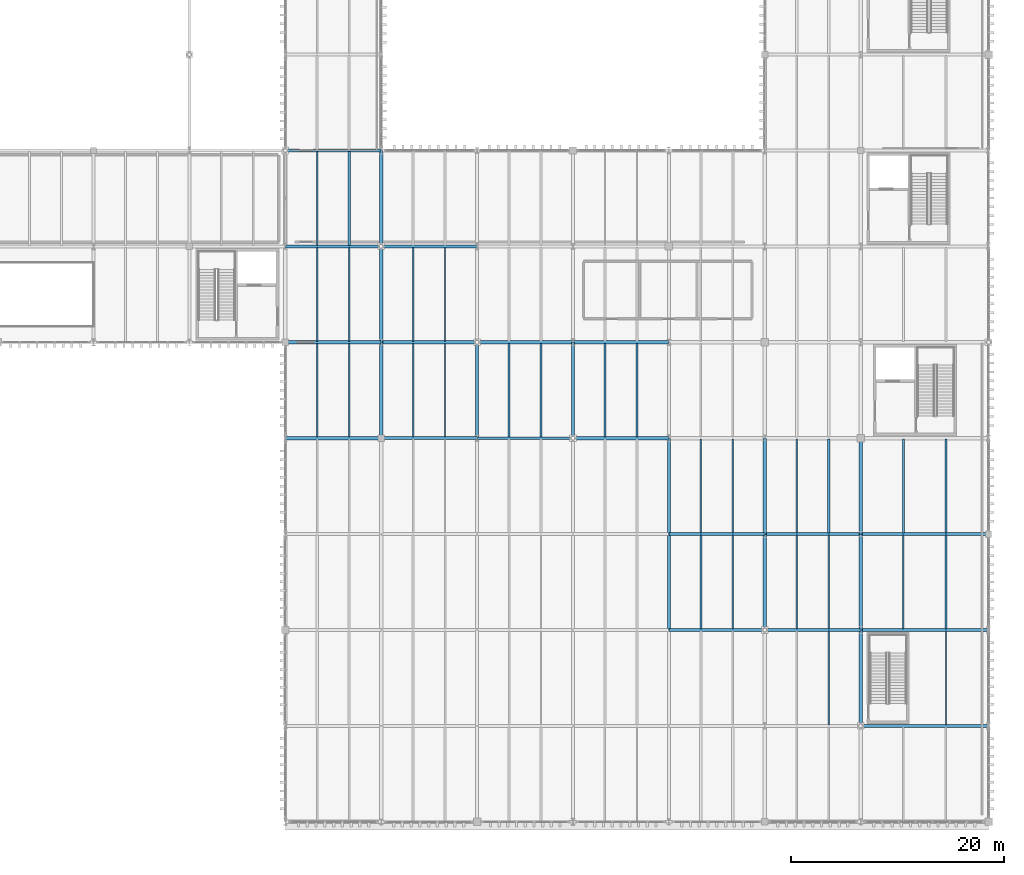
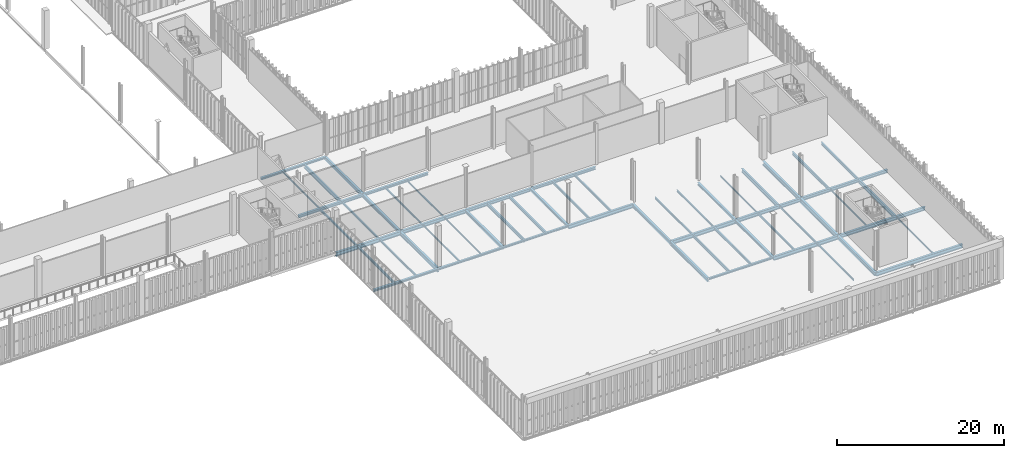
# One storey, part 120 of 237: 58 beams.
"""IFC4 building model written with IfcOpenShell, lengths in metres."""

from ifc_helpers import new_model, si_unit, direction, frame, origin, origin_2d, place, context, subcontext, project, spatial, i_section, extrude, material, material_profile, profile_set, type_object, element, save


model = new_model("IFC4")

# Units and contexts
model_context = context("Model", 3, precision=1e-05, world=origin(), true_north=direction((0.0, 1.0)))
body_context = subcontext(model_context, "Body", "Model", "MODEL_VIEW")
ifc_project = project(units=[si_unit("LENGTHUNIT", "METRE"), si_unit("AREAUNIT", "SQUARE_METRE"), si_unit("VOLUMEUNIT", "CUBIC_METRE"), si_unit("PLANEANGLEUNIT", "RADIAN"), si_unit("MASSUNIT", "GRAM", prefix="KILO")], contexts=[model_context])

# Site, building, storey
site_placement = place(None, origin())
site = spatial("IfcSite", under=ifc_project, at=site_placement, CompositionType="ELEMENT")
building_placement = place(site_placement, origin())
building = spatial("IfcBuilding", under=site, at=building_placement, Name="Barlavento Convention Centre", CompositionType="ELEMENT")
storey_placement = place(building_placement, frame((0.0, 0.0, 12.0)))
storey = spatial("IfcBuildingStorey", under=building, at=storey_placement, Name="L02", CompositionType="ELEMENT", Elevation=12.0)

# Beams
ifc_material = material(Name="Steel S355", Category="steel")
ifc_material_profile_1 = material_profile(ifc_material, i_section(OverallWidth=0.110107421875, OverallDepth=0.219970703125, WebThickness=0.005859375, FlangeThickness=0.00927734375, FilletRadius=0.011962890625, at=origin_2d()), Name="IPE 220")
ifc_profile_set_1 = profile_set([ifc_material_profile_1], Name="Steel S355")
beam_type_1 = type_object("IfcBeamType", Name="STR-BM-JST-IPE220", PredefinedType="JOIST", material=ifc_profile_set_1)
for number, where, z_axis, x_axis, name in (
    (1, (188.0, 9.094970703125, -0.47998046875), (0.0, 1.0, 0.0), (-1.0, 0.0, 0.0), "L02 composite floor joist SJ10"),
    (2, (184.0, 18.094970703125, -0.47998046875), (0.0, 1.0, 0.0), (-1.0, 0.0, 0.0), "L02 composite floor joist SJ10"),
    (3, (174.0, 27.094970703125, -0.47998046875), (0.0, 1.0, 0.0), (-1.0, 0.0, 0.0), "L02 composite floor joist SJ10"),
    (4, (141.0, 36.094970703125, -0.47998046875), (0.0, 1.0, 0.0), (-1.0, 0.0, 0.0), "L02 composite floor joist SJ10"),
    (5, (141.0, 45.094970703125, -0.47998046875), (0.0, 1.0, 0.0), (-1.0, 0.0, 0.0), "L02 composite floor joist SJ10"),
    (6, (129.0, 54.094970703125, -0.47998046875), (0.0, 1.0, 0.0), (-1.0, 0.0, 0.0), "L02 composite floor joist SJ10"),
):
    element("IfcBeam", number, at=place(storey_placement, frame(where, z_axis=z_axis, x_axis=x_axis)), inside=storey, type_object=beam_type_1, Name=name, PredefinedType="JOIST", context=body_context, shape_type="SweptSolid", body=[
        extrude(i_section(OverallWidth=0.110107421875, OverallDepth=0.219970703125, WebThickness=0.005859375, FlangeThickness=0.00927734375, FilletRadius=0.011962890625, at=origin_2d()), origin(), (0.0, 0.0, 1.0), 8.81005859375),
    ])
ifc_material_profile_2 = material_profile(ifc_material, i_section(OverallWidth=0.1201171875, OverallDepth=0.239990234375, WebThickness=0.006103515625, FlangeThickness=0.009765625, FilletRadius=0.014892578125, at=origin_2d()), Name="IPE 240")
ifc_profile_set_2 = profile_set([ifc_material_profile_2], Name="Steel S355")
beam_type_2 = type_object("IfcBeamType", Name="STR-BM-JST-IPE240", PredefinedType="JOIST", material=ifc_profile_set_2)
for number, where, z_axis, x_axis, name in (
    (7, (138.0, 36.094970703125, -0.489990234375), (0.0, 1.0, 0.0), (-1.0, 0.0, 0.0), "L02 composite floor joist SJ09"),
    (8, (138.0, 45.094970703125, -0.489990234375), (0.0, 1.0, 0.0), (-1.0, 0.0, 0.0), "L02 composite floor joist SJ09"),
):
    element("IfcBeam", number, at=place(storey_placement, frame(where, z_axis=z_axis, x_axis=x_axis)), inside=storey, type_object=beam_type_2, Name=name, PredefinedType="JOIST", context=body_context, shape_type="SweptSolid", body=[
        extrude(i_section(OverallWidth=0.1201171875, OverallDepth=0.239990234375, WebThickness=0.006103515625, FlangeThickness=0.009765625, FilletRadius=0.014892578125, at=origin_2d()), origin(), (0.0, 0.0, 1.0), 8.81005859375),
    ])
ifc_material_profile_3 = material_profile(ifc_material, i_section(OverallWidth=0.135009765625, OverallDepth=0.27001953125, WebThickness=0.006591796875, FlangeThickness=0.01025390625, FilletRadius=0.014892578125, at=origin_2d()), Name="IPE 270")
ifc_profile_set_3 = profile_set([ifc_material_profile_3], Name="Steel S355")
beam_type_3 = type_object("IfcBeamType", Name="STR-BM-JST-IPE270", PredefinedType="JOIST", material=ifc_profile_set_3)
for number, where, z_axis, x_axis, name in (
    (9, (177.0, 9.094970703125, -0.5048828125), (0.0, 1.0, 0.0), (-1.0, 0.0, 0.0), "L02 composite floor joist SJ08"),
    (10, (177.0, 18.094970703125, -0.5048828125), (0.0, 1.0, 0.0), (-1.0, 0.0, 0.0), "L02 composite floor joist SJ08"),
    (11, (168.0, 27.094970703125, -0.5048828125), (0.0, 1.0, 0.0), (-1.0, 0.0, 0.0), "L02 composite floor joist SJ08"),
):
    element("IfcBeam", number, at=place(storey_placement, frame(where, z_axis=z_axis, x_axis=x_axis)), inside=storey, type_object=beam_type_3, Name=name, PredefinedType="JOIST", context=body_context, shape_type="SweptSolid", body=[
        extrude(i_section(OverallWidth=0.135009765625, OverallDepth=0.27001953125, WebThickness=0.006591796875, FlangeThickness=0.01025390625, FilletRadius=0.014892578125, at=origin_2d()), origin(), (0.0, 0.0, 1.0), 8.81005859375),
    ])
ifc_material_profile_4 = material_profile(ifc_material, i_section(OverallWidth=0.14990234375, OverallDepth=0.300048828125, WebThickness=0.007080078125, FlangeThickness=0.0107421875, FilletRadius=0.014892578125, at=origin_2d()), Name="IPE 300")
ifc_profile_set_4 = profile_set([ifc_material_profile_4], Name="Steel S355")
beam_type_4 = type_object("IfcBeamType", Name="STR-BM-JST-IPE300", PredefinedType="JOIST", material=ifc_profile_set_4)
for number, where, z_axis, x_axis, name in (
    (12, (174.0, 18.094970703125, -0.52001953125), (0.0, 1.0, 0.0), (-1.0, 0.0, 0.0), "L02 composite floor joist SJ07"),
    (13, (165.0, 27.094970703125, -0.52001953125), (0.0, 1.0, 0.0), (-1.0, 0.0, 0.0), "L02 composite floor joist SJ07"),
    (14, (132.0, 36.094970703125, -0.52001953125), (0.0, 1.0, 0.0), (-1.0, 0.0, 0.0), "L02 composite floor joist SJ07"),
    (15, (132.0, 45.094970703125, -0.52001953125), (0.0, 1.0, 0.0), (-1.0, 0.0, 0.0), "L02 composite floor joist SJ07"),
):
    element("IfcBeam", number, at=place(storey_placement, frame(where, z_axis=z_axis, x_axis=x_axis)), inside=storey, type_object=beam_type_4, Name=name, PredefinedType="JOIST", context=body_context, shape_type="SweptSolid", body=[
        extrude(i_section(OverallWidth=0.14990234375, OverallDepth=0.300048828125, WebThickness=0.007080078125, FlangeThickness=0.0107421875, FilletRadius=0.014892578125, at=origin_2d()), origin(), (0.0, 0.0, 1.0), 8.81005859375),
    ])
ifc_material_profile_5 = material_profile(ifc_material, i_section(OverallWidth=0.159912109375, OverallDepth=0.330078125, WebThickness=0.007568359375, FlangeThickness=0.011474609375, FilletRadius=0.01806640625, at=origin_2d()), Name="IPE 330")
ifc_profile_set_5 = profile_set([ifc_material_profile_5], Name="Steel S355")
beam_type_5 = type_object("IfcBeamType", Name="STR-BM-JST-IPE330", PredefinedType="JOIST", material=ifc_profile_set_5)
for number, where, z_axis, x_axis, name in (
    (16, (129.0, 36.094970703125, -0.534912109375), (0.0, 1.0, 0.0), (-1.0, 0.0, 0.0), "L02 composite floor joist SJ06"),
    (17, (159.0, 36.094970703125, -0.534912109375), (0.0, 1.0, 0.0), (-1.0, 0.0, 0.0), "L02 composite floor joist SJ06"),
    (18, (129.0, 45.094970703125, -0.534912109375), (0.0, 1.0, 0.0), (-1.0, 0.0, 0.0), "L02 composite floor joist SJ06"),
):
    element("IfcBeam", number, at=place(storey_placement, frame(where, z_axis=z_axis, x_axis=x_axis)), inside=storey, type_object=beam_type_5, Name=name, PredefinedType="JOIST", context=body_context, shape_type="SweptSolid", body=[
        extrude(i_section(OverallWidth=0.159912109375, OverallDepth=0.330078125, WebThickness=0.007568359375, FlangeThickness=0.011474609375, FilletRadius=0.01806640625, at=origin_2d()), origin(), (0.0, 0.0, 1.0), 8.81005859375),
    ])
ifc_material_profile_6 = material_profile(ifc_material, i_section(OverallWidth=0.169921875, OverallDepth=0.360107421875, WebThickness=0.008056640625, FlangeThickness=0.0126953125, FilletRadius=0.01806640625, at=origin_2d()), Name="IPE 360")
ifc_profile_set_6 = profile_set([ifc_material_profile_6], Name="Steel S355")
beam_type_6 = type_object("IfcBeamType", Name="STR-BM-JST-IPE360", PredefinedType="JOIST", material=ifc_profile_set_6)
for number, where, z_axis, x_axis, name in (
    (19, (168.0, 18.094970703125, -0.550048828125), (0.0, 1.0, 0.0), (-1.0, 0.0, 0.0), "L02 composite floor joist SJ05"),
    (20, (156.0, 36.094970703125, -0.550048828125), (0.0, 1.0, 0.0), (-1.0, 0.0, 0.0), "L02 composite floor joist SJ05"),
):
    element("IfcBeam", number, at=place(storey_placement, frame(where, z_axis=z_axis, x_axis=x_axis)), inside=storey, type_object=beam_type_6, Name=name, PredefinedType="JOIST", context=body_context, shape_type="SweptSolid", body=[
        extrude(i_section(OverallWidth=0.169921875, OverallDepth=0.360107421875, WebThickness=0.008056640625, FlangeThickness=0.0126953125, FilletRadius=0.01806640625, at=origin_2d()), origin(), (0.0, 0.0, 1.0), 8.81005859375),
    ])
ifc_material_profile_7 = material_profile(ifc_material, i_section(OverallWidth=0.179931640625, OverallDepth=0.39990234375, WebThickness=0.008544921875, FlangeThickness=0.013427734375, FilletRadius=0.02099609375, at=origin_2d()), Name="IPE 400")
ifc_profile_set_7 = profile_set([ifc_material_profile_7], Name="Steel S355")
beam_type_7 = type_object("IfcBeamType", Name="STR-BM-JST-IPE400", PredefinedType="JOIST", material=ifc_profile_set_7)
for number, where, z_axis, x_axis, name in (
    (21, (165.0, 18.094970703125, -0.570068359375), (0.0, 1.0, 0.0), (-1.0, 0.0, 0.0), "L02 composite floor joist SJ04"),
    (22, (188.0, 27.094970703125, -0.570068359375), (0.0, 1.0, 0.0), (-1.0, 0.0, 0.0), "L02 composite floor joist SJ04"),
):
    element("IfcBeam", number, at=place(storey_placement, frame(where, z_axis=z_axis, x_axis=x_axis)), inside=storey, type_object=beam_type_7, Name=name, PredefinedType="JOIST", context=body_context, shape_type="SweptSolid", body=[
        extrude(i_section(OverallWidth=0.179931640625, OverallDepth=0.39990234375, WebThickness=0.008544921875, FlangeThickness=0.013427734375, FilletRadius=0.02099609375, at=origin_2d()), origin(), (0.0, 0.0, 1.0), 8.81005859375),
    ])
ifc_material_profile_8 = material_profile(ifc_material, i_section(OverallWidth=0.18994140625, OverallDepth=0.449951171875, WebThickness=0.009521484375, FlangeThickness=0.0146484375, FilletRadius=0.02099609375, at=origin_2d()), Name="IPE 450")
ifc_profile_set_8 = profile_set([ifc_material_profile_8], Name="Steel S355")
beam_type_8 = type_object("IfcBeamType", Name="STR-BM-JST-IPE450", PredefinedType="JOIST", material=ifc_profile_set_8)
for number, where, z_axis, x_axis, name in (
    (23, (184.0, 27.094970703125, -0.594970703125), (0.0, 1.0, 0.0), (-1.0, 0.0, 0.0), "L02 composite floor joist SJ03"),
    (24, (150.0, 36.094970703125, -0.594970703125), (0.0, 1.0, 0.0), (-1.0, 0.0, 0.0), "L02 composite floor joist SJ03"),
):
    element("IfcBeam", number, at=place(storey_placement, frame(where, z_axis=z_axis, x_axis=x_axis)), inside=storey, type_object=beam_type_8, Name=name, PredefinedType="JOIST", context=body_context, shape_type="SweptSolid", body=[
        extrude(i_section(OverallWidth=0.18994140625, OverallDepth=0.449951171875, WebThickness=0.009521484375, FlangeThickness=0.0146484375, FilletRadius=0.02099609375, at=origin_2d()), origin(), (0.0, 0.0, 1.0), 8.81005859375),
    ])
ifc_material_profile_9 = material_profile(ifc_material, i_section(OverallWidth=0.199951171875, OverallDepth=0.5, WebThickness=0.01025390625, FlangeThickness=0.01611328125, FilletRadius=0.02099609375, at=origin_2d()), Name="IPE 500")
ifc_profile_set_9 = profile_set([ifc_material_profile_9], Name="Steel S355")
beam_type_9 = type_object("IfcBeamType", Name="STR-BM-JST-IPE500", PredefinedType="JOIST", material=ifc_profile_set_9)
beam_1_placement = place(storey_placement, frame((147.0, 36.094970703125, -0.6201171875), z_axis=(0.0, 1.0, 0.0), x_axis=(-1.0, 0.0, 0.0)))
element("IfcBeam", 25, at=beam_1_placement, inside=storey, type_object=beam_type_9, Name="L02 composite floor joist SJ02", PredefinedType="JOIST", context=body_context, shape_type="SweptSolid", body=[
    extrude(i_section(OverallWidth=0.199951171875, OverallDepth=0.5, WebThickness=0.01025390625, FlangeThickness=0.01611328125, FilletRadius=0.02099609375, at=origin_2d()), origin(), (0.0, 0.0, 1.0), 8.81005859375),
])
ifc_material_profile_10 = material_profile(ifc_material, i_section(OverallWidth=0.2099609375, OverallDepth=0.550048828125, WebThickness=0.010986328125, FlangeThickness=0.01708984375, FilletRadius=0.02392578125, at=origin_2d()), Name="IPE 550")
ifc_profile_set_10 = profile_set([ifc_material_profile_10], Name="Steel S355")
beam_type_10 = type_object("IfcBeamType", Name="STR-BM-JST-IPE550", PredefinedType="JOIST", material=ifc_profile_set_10)
for number, where, z_axis, x_axis, name in (
    (26, (188.0, 18.094970703125, -0.64501953125), (0.0, 1.0, 0.0), (-1.0, 0.0, 0.0), "L02 composite floor joist SJ01"),
    (27, (177.0, 27.094970703125, -0.64501953125), (0.0, 1.0, 0.0), (-1.0, 0.0, 0.0), "L02 composite floor joist SJ01"),
    (28, (132.0, 54.094970703125, -0.64501953125), (0.0, 1.0, 0.0), (-1.0, 0.0, 0.0), "L02 composite floor joist SJ01"),
):
    element("IfcBeam", number, at=place(storey_placement, frame(where, z_axis=z_axis, x_axis=x_axis)), inside=storey, type_object=beam_type_10, Name=name, PredefinedType="JOIST", context=body_context, shape_type="SweptSolid", body=[
        extrude(i_section(OverallWidth=0.2099609375, OverallDepth=0.550048828125, WebThickness=0.010986328125, FlangeThickness=0.01708984375, FilletRadius=0.02392578125, at=origin_2d()), origin(), (0.0, 0.0, 1.0), 8.81005859375),
    ])
ifc_material_profile_11 = material_profile(ifc_material, i_section(OverallWidth=0.300048828125, OverallDepth=0.330078125, WebThickness=0.009521484375, FlangeThickness=0.0166015625, FilletRadius=0.027099609375, at=origin_2d()), Name="HEA 340")
ifc_profile_set_11 = profile_set([ifc_material_profile_11], Name="Steel S355")
beam_type_11 = type_object("IfcBeamType", Name="STR-BM-PRI-HEA340", PredefinedType="BEAM", material=ifc_profile_set_11)
beam_2_placement = place(storey_placement, frame((153.0, 36.02001953125, -0.534912109375), z_axis=(0.0, 1.0, 0.0), x_axis=(-1.0, 0.0, 0.0)))
element("IfcBeam", 29, at=beam_2_placement, inside=storey, type_object=beam_type_11, Name="L02 grid girder BG24", PredefinedType="BEAM", context=body_context, shape_type="SweptSolid", body=[
    extrude(i_section(OverallWidth=0.300048828125, OverallDepth=0.330078125, WebThickness=0.009521484375, FlangeThickness=0.0166015625, FilletRadius=0.027099609375, at=origin_2d()), origin(), (0.0, 0.0, 1.0), 8.9599609375),
])
ifc_material_profile_12 = material_profile(ifc_material, i_section(OverallWidth=0.300048828125, OverallDepth=0.35009765625, WebThickness=0.010009765625, FlangeThickness=0.017578125, FilletRadius=0.027099609375, at=origin_2d()), Name="HEA 360")
ifc_profile_set_12 = profile_set([ifc_material_profile_12], Name="Steel S355")
beam_type_12 = type_object("IfcBeamType", Name="STR-BM-PRI-HEA360", PredefinedType="BEAM", material=ifc_profile_set_12)
beam_3_placement = place(storey_placement, frame((171.0, 27.02001953125, -0.544921875), z_axis=(0.0, 1.0, 0.0), x_axis=(-1.0, 0.0, 0.0)))
element("IfcBeam", 30, at=beam_3_placement, inside=storey, type_object=beam_type_12, Name="L02 grid girder BG23", PredefinedType="BEAM", context=body_context, shape_type="SweptSolid", body=[
    extrude(i_section(OverallWidth=0.300048828125, OverallDepth=0.35009765625, WebThickness=0.010009765625, FlangeThickness=0.017578125, FilletRadius=0.027099609375, at=origin_2d()), origin(), (0.0, 0.0, 1.0), 8.9599609375),
])
ifc_material_profile_13 = material_profile(ifc_material, i_section(OverallWidth=0.300048828125, OverallDepth=0.389892578125, WebThickness=0.010986328125, FlangeThickness=0.01904296875, FilletRadius=0.027099609375, at=origin_2d()), Name="HEA 400")
ifc_profile_set_13 = profile_set([ifc_material_profile_13], Name="Steel S355")
beam_type_13 = type_object("IfcBeamType", Name="STR-BM-PRI-HEA400", PredefinedType="BEAM", material=ifc_profile_set_13)
beam_4_placement = place(storey_placement, frame((171.0, 18.02001953125, -0.56494140625), z_axis=(0.0, 1.0, 0.0), x_axis=(-1.0, 0.0, 0.0)))
element("IfcBeam", 31, at=beam_4_placement, inside=storey, type_object=beam_type_13, Name="L02 grid girder BG22", PredefinedType="BEAM", context=body_context, shape_type="SweptSolid", body=[
    extrude(i_section(OverallWidth=0.300048828125, OverallDepth=0.389892578125, WebThickness=0.010986328125, FlangeThickness=0.01904296875, FilletRadius=0.027099609375, at=origin_2d()), origin(), (0.0, 0.0, 1.0), 8.9599609375),
])
ifc_material_profile_14 = material_profile(ifc_material, i_section(OverallWidth=0.300048828125, OverallDepth=0.43994140625, WebThickness=0.011474609375, FlangeThickness=0.02099609375, FilletRadius=0.027099609375, at=origin_2d()), Name="HEA 450")
ifc_profile_set_14 = profile_set([ifc_material_profile_14], Name="Steel S355")
beam_type_14 = type_object("IfcBeamType", Name="STR-BM-PRI-HEA450", PredefinedType="BEAM", material=ifc_profile_set_14)
beam_5_placement = place(storey_placement, frame((144.0, 36.02001953125, -0.590087890625), z_axis=(0.0, 1.0, 0.0), x_axis=(-1.0, 0.0, 0.0)))
element("IfcBeam", 32, at=beam_5_placement, inside=storey, type_object=beam_type_14, Name="L02 grid girder BG21", PredefinedType="BEAM", context=body_context, shape_type="SweptSolid", body=[
    extrude(i_section(OverallWidth=0.300048828125, OverallDepth=0.43994140625, WebThickness=0.011474609375, FlangeThickness=0.02099609375, FilletRadius=0.027099609375, at=origin_2d()), origin(), (0.0, 0.0, 1.0), 8.9599609375),
])
ifc_material_profile_15 = material_profile(ifc_material, i_section(OverallWidth=0.300048828125, OverallDepth=0.489990234375, WebThickness=0.011962890625, FlangeThickness=0.02294921875, FilletRadius=0.027099609375, at=origin_2d()), Name="HEA 500")
ifc_profile_set_15 = profile_set([ifc_material_profile_15], Name="Steel S355")
beam_type_15 = type_object("IfcBeamType", Name="STR-BM-PRI-HEA500", PredefinedType="BEAM", material=ifc_profile_set_15)
for number, where, z_axis, x_axis, name in (
    (33, (162.0, 27.02001953125, -0.614990234375), (0.0, 1.0, 0.0), (-1.0, 0.0, 0.0), "L02 grid girder BG20"),
    (34, (135.0, 45.02001953125, -0.614990234375), (0.0, 1.0, 0.0), (-1.0, 0.0, 0.0), "L02 grid girder BG20"),
    (35, (135.0, 54.02001953125, -0.614990234375), (0.0, 1.0, 0.0), (-1.0, 0.0, 0.0), "L02 grid girder BG20"),
):
    element("IfcBeam", number, at=place(storey_placement, frame(where, z_axis=z_axis, x_axis=x_axis)), inside=storey, type_object=beam_type_15, Name=name, PredefinedType="BEAM", context=body_context, shape_type="SweptSolid", body=[
        extrude(i_section(OverallWidth=0.300048828125, OverallDepth=0.489990234375, WebThickness=0.011962890625, FlangeThickness=0.02294921875, FilletRadius=0.027099609375, at=origin_2d()), origin(), (0.0, 0.0, 1.0), 8.9599609375),
    ])
ifc_material_profile_16 = material_profile(ifc_material, i_section(OverallWidth=0.300048828125, OverallDepth=0.5400390625, WebThickness=0.012451171875, FlangeThickness=0.02392578125, FilletRadius=0.027099609375, at=origin_2d()), Name="HEA 550")
ifc_profile_set_16 = profile_set([ifc_material_profile_16], Name="Steel S355")
beam_type_16 = type_object("IfcBeamType", Name="STR-BM-PRI-HEA550", PredefinedType="BEAM", material=ifc_profile_set_16)
for number, where, z_axis, x_axis, name in (
    (36, (180.0, 9.02001953125, -0.639892578125), (0.0, 1.0, 0.0), (-1.0, 0.0, 0.0), "L02 grid girder BG19"),
    (37, (162.0, 18.02001953125, -0.639892578125), (0.0, 1.0, 0.0), (-1.0, 0.0, 0.0), "L02 grid girder BG19"),
):
    element("IfcBeam", number, at=place(storey_placement, frame(where, z_axis=z_axis, x_axis=x_axis)), inside=storey, type_object=beam_type_16, Name=name, PredefinedType="BEAM", context=body_context, shape_type="SweptSolid", body=[
        extrude(i_section(OverallWidth=0.300048828125, OverallDepth=0.5400390625, WebThickness=0.012451171875, FlangeThickness=0.02392578125, FilletRadius=0.027099609375, at=origin_2d()), origin(), (0.0, 0.0, 1.0), 8.9599609375),
    ])
ifc_material_profile_17 = material_profile(ifc_material, i_section(OverallWidth=0.300048828125, OverallDepth=0.590087890625, WebThickness=0.012939453125, FlangeThickness=0.02490234375, FilletRadius=0.027099609375, at=origin_2d()), Name="HEA 600")
ifc_profile_set_17 = profile_set([ifc_material_profile_17], Name="Steel S355")
beam_type_17 = type_object("IfcBeamType", Name="STR-BM-PRI-HEA600", PredefinedType="BEAM", material=ifc_profile_set_17)
for number, where, z_axis, x_axis, name in (
    (38, (180.0, 27.02001953125, -0.6650390625), (0.0, 1.0, 0.0), (-1.0, 0.0, 0.0), "L02 grid girder BG18"),
    (39, (135.0, 36.02001953125, -0.6650390625), (0.0, 1.0, 0.0), (-1.0, 0.0, 0.0), "L02 grid girder BG18"),
):
    element("IfcBeam", number, at=place(storey_placement, frame(where, z_axis=z_axis, x_axis=x_axis)), inside=storey, type_object=beam_type_17, Name=name, PredefinedType="BEAM", context=body_context, shape_type="SweptSolid", body=[
        extrude(i_section(OverallWidth=0.300048828125, OverallDepth=0.590087890625, WebThickness=0.012939453125, FlangeThickness=0.02490234375, FilletRadius=0.027099609375, at=origin_2d()), origin(), (0.0, 0.0, 1.0), 8.9599609375),
    ])
ifc_material_profile_18 = material_profile(ifc_material, i_section(OverallWidth=0.300048828125, OverallDepth=0.639892578125, WebThickness=0.013427734375, FlangeThickness=0.02587890625, FilletRadius=0.027099609375, at=origin_2d()), Name="HEA 650")
ifc_profile_set_18 = profile_set([ifc_material_profile_18], Name="Steel S355")
beam_type_18 = type_object("IfcBeamType", Name="STR-BM-PRI-HEA650", PredefinedType="BEAM", material=ifc_profile_set_18)
beam_6_placement = place(storey_placement, frame((180.0, 18.02001953125, -0.68994140625), z_axis=(0.0, 1.0, 0.0), x_axis=(-1.0, 0.0, 0.0)))
element("IfcBeam", 40, at=beam_6_placement, inside=storey, type_object=beam_type_18, Name="L02 grid girder BG17", PredefinedType="BEAM", context=body_context, shape_type="SweptSolid", body=[
    extrude(i_section(OverallWidth=0.300048828125, OverallDepth=0.639892578125, WebThickness=0.013427734375, FlangeThickness=0.02587890625, FilletRadius=0.027099609375, at=origin_2d()), origin(), (0.0, 0.0, 1.0), 8.9599609375),
])
ifc_material_profile_19 = material_profile(ifc_material, i_section(OverallWidth=0.260009765625, OverallDepth=0.260009765625, WebThickness=0.010009765625, FlangeThickness=0.017578125, FilletRadius=0.02392578125, at=origin_2d()), Name="HEB 260")
ifc_profile_set_19 = profile_set([ifc_material_profile_19], Name="Steel S355")
beam_type_19 = type_object("IfcBeamType", Name="STR-BM-PRI-HEB260", PredefinedType="BEAM", material=ifc_profile_set_19)
for number, where, z_axis, x_axis, name in (
    (41, (162.02001953125, 18.0, -0.5), (1.0, 0.0, 0.0), (0.0, 1.0, 0.0), "L02 primary girder BG16"),
    (42, (144.02001953125, 36.0, -0.5), (1.0, 0.0, 0.0), (0.0, 1.0, 0.0), "L02 primary girder BG16"),
):
    element("IfcBeam", number, at=place(storey_placement, frame(where, z_axis=z_axis, x_axis=x_axis)), inside=storey, type_object=beam_type_19, Name=name, PredefinedType="BEAM", context=body_context, shape_type="SweptSolid", body=[
        extrude(i_section(OverallWidth=0.260009765625, OverallDepth=0.260009765625, WebThickness=0.010009765625, FlangeThickness=0.017578125, FilletRadius=0.02392578125, at=origin_2d()), origin(), (0.0, 0.0, 1.0), 8.9599609375),
    ])
ifc_material_profile_20 = material_profile(ifc_material, i_section(OverallWidth=0.280029296875, OverallDepth=0.280029296875, WebThickness=0.010498046875, FlangeThickness=0.01806640625, FilletRadius=0.02392578125, at=origin_2d()), Name="HEB 280")
ifc_profile_set_20 = profile_set([ifc_material_profile_20], Name="Steel S355")
beam_type_20 = type_object("IfcBeamType", Name="STR-BM-PRI-HEB280", PredefinedType="BEAM", material=ifc_profile_set_20)
beam_7_placement = place(storey_placement, frame((135.02001953125, 36.0, -0.510009765625), z_axis=(1.0, 0.0, 0.0), x_axis=(0.0, 1.0, 0.0)))
element("IfcBeam", 43, at=beam_7_placement, inside=storey, type_object=beam_type_20, Name="L02 primary girder BG15", PredefinedType="BEAM", context=body_context, shape_type="SweptSolid", body=[
    extrude(i_section(OverallWidth=0.280029296875, OverallDepth=0.280029296875, WebThickness=0.010498046875, FlangeThickness=0.01806640625, FilletRadius=0.02392578125, at=origin_2d()), origin(), (0.0, 0.0, 1.0), 8.9599609375),
])
ifc_material_profile_21 = material_profile(ifc_material, i_section(OverallWidth=0.300048828125, OverallDepth=0.300048828125, WebThickness=0.010986328125, FlangeThickness=0.01904296875, FilletRadius=0.027099609375, at=origin_2d()), Name="HEB 300")
ifc_profile_set_21 = profile_set([ifc_material_profile_21], Name="Steel S355")
beam_type_21 = type_object("IfcBeamType", Name="STR-BM-PRI-HEB300", PredefinedType="BEAM", material=ifc_profile_set_21)
for number, where, z_axis, x_axis, name in (
    (44, (126.02001953125, 36.0, -0.52001953125), (1.0, 0.0, 0.0), (0.0, 1.0, 0.0), "L02 primary girder BG14"),
    (45, (126.02001953125, 63.0, -0.510009765625), (1.0, 0.0, 0.0), (0.0, 1.0, 0.0), "L02 primary girder BG14"),
):
    element("IfcBeam", number, at=place(storey_placement, frame(where, z_axis=z_axis, x_axis=x_axis)), inside=storey, type_object=beam_type_21, Name=name, PredefinedType="BEAM", context=body_context, shape_type="SweptSolid", body=[
        extrude(i_section(OverallWidth=0.300048828125, OverallDepth=0.300048828125, WebThickness=0.010986328125, FlangeThickness=0.01904296875, FilletRadius=0.027099609375, at=origin_2d()), origin(), (0.0, 0.0, 1.0), 8.9599609375),
    ])
ifc_material_profile_22 = material_profile(ifc_material, i_section(OverallWidth=0.300048828125, OverallDepth=0.360107421875, WebThickness=0.012451171875, FlangeThickness=0.0224609375, FilletRadius=0.027099609375, at=origin_2d()), Name="HEB 360")
ifc_profile_set_22 = profile_set([ifc_material_profile_22], Name="Steel S355")
beam_type_22 = type_object("IfcBeamType", Name="STR-BM-PRI-HEB360", PredefinedType="BEAM", material=ifc_profile_set_22)
beam_8_placement = place(storey_placement, frame((135.02001953125, 54.0, -0.550048828125), z_axis=(1.0, 0.0, 0.0), x_axis=(0.0, 1.0, 0.0)))
element("IfcBeam", 46, at=beam_8_placement, inside=storey, type_object=beam_type_22, Name="L02 primary girder BG12", PredefinedType="BEAM", context=body_context, shape_type="SweptSolid", body=[
    extrude(i_section(OverallWidth=0.300048828125, OverallDepth=0.360107421875, WebThickness=0.012451171875, FlangeThickness=0.0224609375, FilletRadius=0.027099609375, at=origin_2d()), origin(), (0.0, 0.0, 1.0), 8.9599609375),
])
ifc_material_profile_23 = material_profile(ifc_material, i_section(OverallWidth=0.300048828125, OverallDepth=0.39990234375, WebThickness=0.013427734375, FlangeThickness=0.02392578125, FilletRadius=0.027099609375, at=origin_2d()), Name="HEB 400")
ifc_profile_set_23 = profile_set([ifc_material_profile_23], Name="Steel S355")
beam_type_23 = type_object("IfcBeamType", Name="STR-BM-PRI-HEB400", PredefinedType="BEAM", material=ifc_profile_set_23)
for number, where, z_axis, x_axis, name in (
    (47, (153.02001953125, 45.0, -0.570068359375), (1.0, 0.0, 0.0), (0.0, 1.0, 0.0), "L02 primary girder BG11"),
    (48, (126.02001953125, 54.0, -0.570068359375), (1.0, 0.0, 0.0), (0.0, 1.0, 0.0), "L02 primary girder BG11"),
):
    element("IfcBeam", number, at=place(storey_placement, frame(where, z_axis=z_axis, x_axis=x_axis)), inside=storey, type_object=beam_type_23, Name=name, PredefinedType="BEAM", context=body_context, shape_type="SweptSolid", body=[
        extrude(i_section(OverallWidth=0.300048828125, OverallDepth=0.39990234375, WebThickness=0.013427734375, FlangeThickness=0.02392578125, FilletRadius=0.027099609375, at=origin_2d()), origin(), (0.0, 0.0, 1.0), 8.9599609375),
    ])
ifc_material_profile_24 = material_profile(ifc_material, i_section(OverallWidth=0.300048828125, OverallDepth=0.449951171875, WebThickness=0.013916015625, FlangeThickness=0.02587890625, FilletRadius=0.027099609375, at=origin_2d()), Name="HEB 450")
ifc_profile_set_24 = profile_set([ifc_material_profile_24], Name="Steel S355")
beam_type_24 = type_object("IfcBeamType", Name="STR-BM-PRI-HEB450", PredefinedType="BEAM", material=ifc_profile_set_24)
beam_9_placement = place(storey_placement, frame((180.02001953125, 27.0, -0.594970703125), z_axis=(1.0, 0.0, 0.0), x_axis=(0.0, 1.0, 0.0)))
element("IfcBeam", 49, at=beam_9_placement, inside=storey, type_object=beam_type_24, Name="L02 primary girder BG10", PredefinedType="BEAM", context=body_context, shape_type="SweptSolid", body=[
    extrude(i_section(OverallWidth=0.300048828125, OverallDepth=0.449951171875, WebThickness=0.013916015625, FlangeThickness=0.02587890625, FilletRadius=0.027099609375, at=origin_2d()), origin(), (0.0, 0.0, 1.0), 11.9599609375),
])
beam_10_placement = place(storey_placement, frame((144.02001953125, 45.0, -0.594970703125), z_axis=(1.0, 0.0, 0.0), x_axis=(0.0, 1.0, 0.0)))
element("IfcBeam", 50, at=beam_10_placement, inside=storey, type_object=beam_type_24, Name="L02 primary girder BG10", PredefinedType="BEAM", context=body_context, shape_type="SweptSolid", body=[
    extrude(i_section(OverallWidth=0.300048828125, OverallDepth=0.449951171875, WebThickness=0.013916015625, FlangeThickness=0.02587890625, FilletRadius=0.027099609375, at=origin_2d()), origin(), (0.0, 0.0, 1.0), 8.9599609375),
])
ifc_material_profile_25 = material_profile(ifc_material, i_section(OverallWidth=0.300048828125, OverallDepth=0.5, WebThickness=0.014404296875, FlangeThickness=0.028076171875, FilletRadius=0.027099609375, at=origin_2d()), Name="HEB 500")
ifc_profile_set_25 = profile_set([ifc_material_profile_25], Name="Steel S355")
beam_type_25 = type_object("IfcBeamType", Name="STR-BM-PRI-HEB500", PredefinedType="BEAM", material=ifc_profile_set_25)
beam_11_placement = place(storey_placement, frame((180.02001953125, 18.0, -0.6201171875), z_axis=(1.0, 0.0, 0.0), x_axis=(0.0, 1.0, 0.0)))
element("IfcBeam", 51, at=beam_11_placement, inside=storey, type_object=beam_type_25, Name="L02 primary girder BG09", PredefinedType="BEAM", context=body_context, shape_type="SweptSolid", body=[
    extrude(i_section(OverallWidth=0.300048828125, OverallDepth=0.5, WebThickness=0.014404296875, FlangeThickness=0.028076171875, FilletRadius=0.027099609375, at=origin_2d()), origin(), (0.0, 0.0, 1.0), 11.9599609375),
])
for number, where, z_axis, x_axis, name in (
    (52, (171.02001953125, 27.0, -0.6201171875), (1.0, 0.0, 0.0), (0.0, 1.0, 0.0), "L02 primary girder BG09"),
    (53, (135.02001953125, 45.0, -0.6201171875), (1.0, 0.0, 0.0), (0.0, 1.0, 0.0), "L02 primary girder BG09"),
):
    element("IfcBeam", number, at=place(storey_placement, frame(where, z_axis=z_axis, x_axis=x_axis)), inside=storey, type_object=beam_type_25, Name=name, PredefinedType="BEAM", context=body_context, shape_type="SweptSolid", body=[
        extrude(i_section(OverallWidth=0.300048828125, OverallDepth=0.5, WebThickness=0.014404296875, FlangeThickness=0.028076171875, FilletRadius=0.027099609375, at=origin_2d()), origin(), (0.0, 0.0, 1.0), 8.9599609375),
    ])
ifc_material_profile_26 = material_profile(ifc_material, i_section(OverallWidth=0.300048828125, OverallDepth=0.550048828125, WebThickness=0.014892578125, FlangeThickness=0.029052734375, FilletRadius=0.027099609375, at=origin_2d()), Name="HEB 550")
ifc_profile_set_26 = profile_set([ifc_material_profile_26], Name="Steel S355")
beam_type_26 = type_object("IfcBeamType", Name="STR-BM-PRI-HEB550", PredefinedType="BEAM", material=ifc_profile_set_26)
beam_12_placement = place(storey_placement, frame((180.02001953125, 9.0, -0.64501953125), z_axis=(1.0, 0.0, 0.0), x_axis=(0.0, 1.0, 0.0)))
element("IfcBeam", 54, at=beam_12_placement, inside=storey, type_object=beam_type_26, Name="L02 primary girder BG08", PredefinedType="BEAM", context=body_context, shape_type="SweptSolid", body=[
    extrude(i_section(OverallWidth=0.300048828125, OverallDepth=0.550048828125, WebThickness=0.014892578125, FlangeThickness=0.029052734375, FilletRadius=0.027099609375, at=origin_2d()), origin(), (0.0, 0.0, 1.0), 11.9599609375),
])
for number, where, z_axis, x_axis, name in (
    (55, (171.02001953125, 18.0, -0.64501953125), (1.0, 0.0, 0.0), (0.0, 1.0, 0.0), "L02 primary girder BG08"),
    (56, (162.02001953125, 27.0, -0.64501953125), (1.0, 0.0, 0.0), (0.0, 1.0, 0.0), "L02 primary girder BG08"),
    (57, (153.02001953125, 36.0, -0.64501953125), (1.0, 0.0, 0.0), (0.0, 1.0, 0.0), "L02 primary girder BG08"),
    (58, (126.02001953125, 45.0, -0.64501953125), (1.0, 0.0, 0.0), (0.0, 1.0, 0.0), "L02 primary girder BG08"),
):
    element("IfcBeam", number, at=place(storey_placement, frame(where, z_axis=z_axis, x_axis=x_axis)), inside=storey, type_object=beam_type_26, Name=name, PredefinedType="BEAM", context=body_context, shape_type="SweptSolid", body=[
        extrude(i_section(OverallWidth=0.300048828125, OverallDepth=0.550048828125, WebThickness=0.014892578125, FlangeThickness=0.029052734375, FilletRadius=0.027099609375, at=origin_2d()), origin(), (0.0, 0.0, 1.0), 8.9599609375),
    ])

save(model, "model.ifc")
